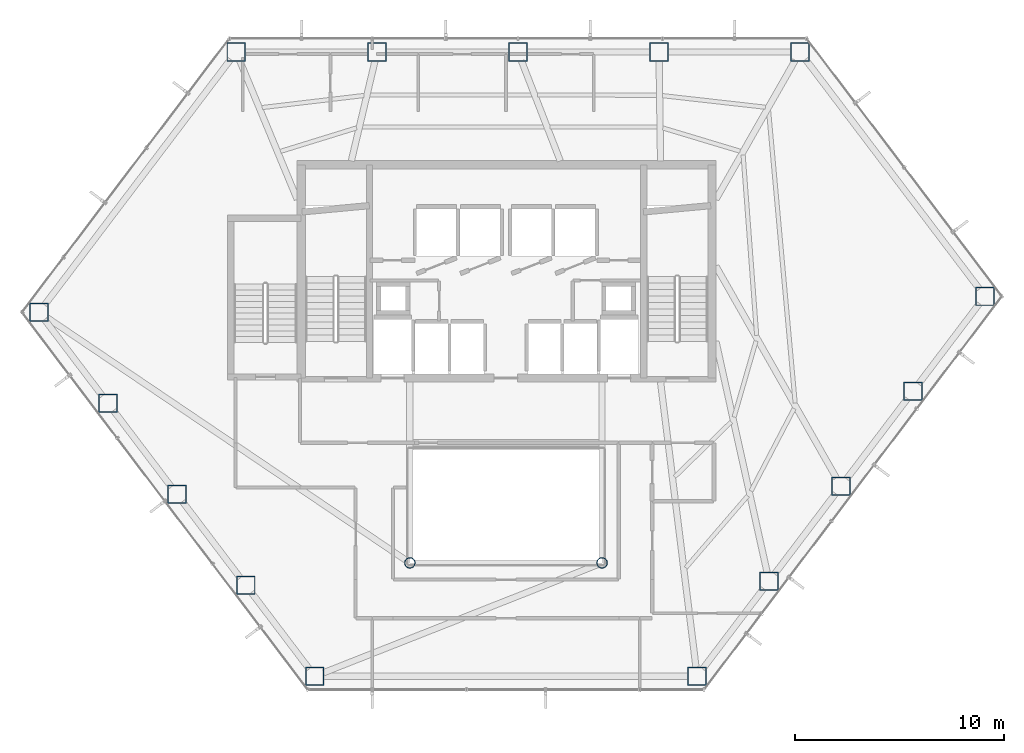
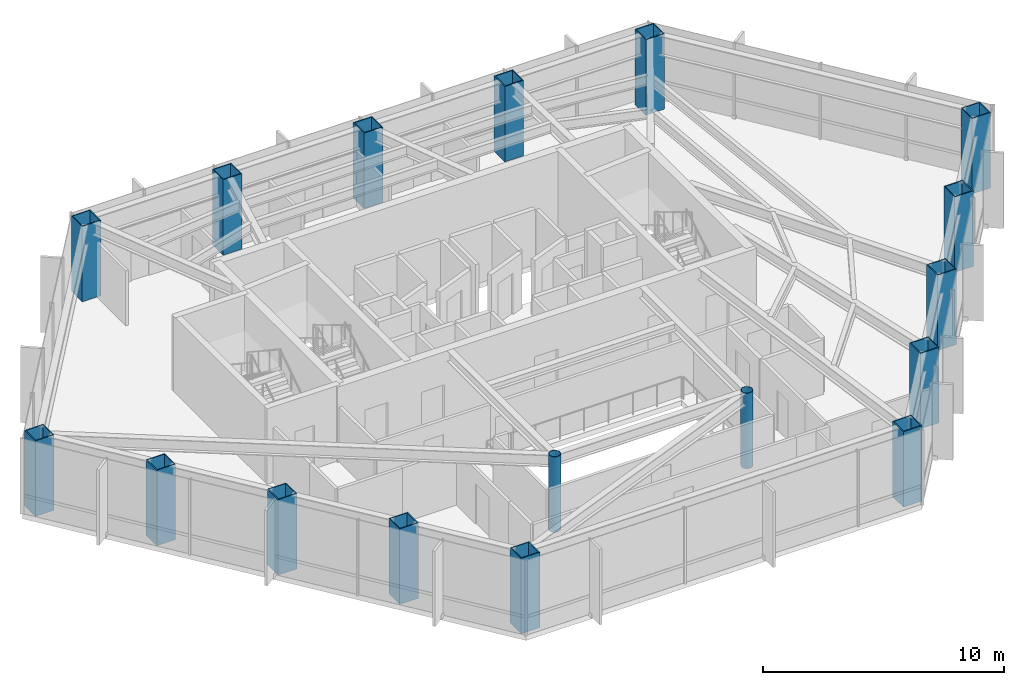
# One storey, part 1 of 24: 17 columns.
"""IFC4 building model written with IfcOpenShell, lengths in metres."""

from ifc_helpers import new_model, si_unit, direction, frame, origin, origin_2d, place, context, subcontext, project, spatial, hollow_rectangle, hollow_circle, extrude, material, material_profile, profile_set, type_object, element, save


model = new_model("IFC4")

# Units and contexts
model_context = context("Model", 3, precision=1e-05, world=origin(), true_north=direction((0.0, 1.0)))
body_context = subcontext(model_context, "Body", "Model", "MODEL_VIEW")
ifc_project = project(units=[si_unit("LENGTHUNIT", "METRE"), si_unit("AREAUNIT", "SQUARE_METRE"), si_unit("VOLUMEUNIT", "CUBIC_METRE"), si_unit("PLANEANGLEUNIT", "RADIAN"), si_unit("MASSUNIT", "GRAM", prefix="KILO")], contexts=[model_context])

# Site, building, storey
site_placement = place(None, origin())
site = spatial("IfcSite", under=ifc_project, at=site_placement, CompositionType="ELEMENT")
building_placement = place(site_placement, origin())
building = spatial("IfcBuilding", under=site, at=building_placement, Name="Zarrinselat Tower", CompositionType="ELEMENT")
storey_placement = place(building_placement, frame((0.0, 0.0, 96.89990234375)))
storey = spatial("IfcBuildingStorey", under=building, at=storey_placement, Name="L23", CompositionType="ELEMENT", Elevation=96.89990234375)

# Columns
ifc_material_1 = material(Name="Steel S355J2", Category="steel")
ifc_material_profile_1 = material_profile(ifc_material_1, hollow_circle(Radius=0.25390625, WallThickness=0.02001953125, at=origin_2d()), Name="CHS 508x20")
ifc_profile_set_1 = profile_set([ifc_material_profile_1], Name="Steel S355J2")
column_type_1 = type_object("IfcColumnType", Name="COL-CHS508", PredefinedType="COLUMN", material=ifc_profile_set_1)
for number, where, z_axis, x_axis, name in (
    (1, (33.800048828125, 24.39990234375, 0.0), (0.0, 0.0, 1.0), (1.0, 0.0, 0.0), "L23 Atrium Corner Column 1"),
    (2, (43.0, 24.39990234375, 0.0), (0.0, 0.0, 1.0), (1.0, 0.0, 0.0), "L23 Atrium Corner Column 2"),
):
    element("IfcColumn", number, at=place(storey_placement, frame(where, z_axis=z_axis, x_axis=x_axis)), inside=storey, type_object=column_type_1, Name=name, PredefinedType="COLUMN", context=body_context, shape_type="SweptSolid", body=[
        extrude(hollow_circle(Radius=0.25390625, WallThickness=0.02001953125, at=origin_2d()), origin(), (0.0, 0.0, 1.0), 3.820068359375),
    ])
ifc_material_2 = material(Name="Steel S460M", Category="steel")
ifc_material_profile_2 = material_profile(ifc_material_2, hollow_rectangle(XDim=0.89990234375, YDim=0.89990234375, WallThickness=0.044921875, at=origin_2d()), Name="SHS 900x900x45")
ifc_profile_set_2 = profile_set([ifc_material_profile_2], Name="Steel S460M")
column_type_2 = type_object("IfcColumnType", Name="COL-SHS900", PredefinedType="COLUMN", material=ifc_profile_set_2)
for number, where, z_axis, x_axis, name in (
    (3, (52.471435546875, 48.85009765625, 0.0), (0.0, 0.0, 1.0), (1.0, 0.0, 0.0), "L23 Framed-Tube Column T01"),
    (4, (45.725341796875, 48.85009765625, 0.0), (0.0, 0.0, 1.0), (1.0, 0.0, 0.0), "L23 Framed-Tube Column T02"),
    (5, (38.97900390625, 48.85009765625, 0.0), (0.0, 0.0, 1.0), (1.0, 0.0, 0.0), "L23 Framed-Tube Column T03"),
    (6, (32.23291015625, 48.85009765625, 0.0), (0.0, 0.0, 1.0), (1.0, 0.0, 0.0), "L23 Framed-Tube Column T04"),
    (7, (25.486572265625, 48.85009765625, 0.0), (0.0, 0.0, 1.0), (1.0, 0.0, 0.0), "L23 Framed-Tube Column T05"),
    (8, (16.052001953125, 36.39599609375, 0.0), (0.0, 0.0, 1.0), (1.0, 0.0, 0.0), "L23 Framed-Tube Column T06"),
    (9, (19.351318359375, 32.041015625, 0.0), (0.0, 0.0, 1.0), (1.0, 0.0, 0.0), "L23 Framed-Tube Column T07"),
    (10, (22.650390625, 27.685791015625, 0.0), (0.0, 0.0, 1.0), (1.0, 0.0, 0.0), "L23 Framed-Tube Column T08"),
    (11, (25.94970703125, 23.330810546875, 0.0), (0.0, 0.0, 1.0), (1.0, 0.0, 0.0), "L23 Framed-Tube Column T09"),
    (12, (29.2490234375, 18.9755859375, 0.0), (0.0, 0.0, 1.0), (1.0, 0.0, 0.0), "L23 Framed-Tube Column T10"),
    (13, (47.55078125, 18.9755859375, 0.0), (0.0, 0.0, 1.0), (1.0, 0.0, 0.0), "L23 Framed-Tube Column T11"),
    (14, (50.9951171875, 23.521728515625, 0.0), (0.0, 0.0, 1.0), (1.0, 0.0, 0.0), "L23 Framed-Tube Column T12"),
    (15, (54.43896484375, 28.068115234375, 0.0), (0.0, 0.0, 1.0), (1.0, 0.0, 0.0), "L23 Framed-Tube Column T13"),
    (16, (57.883056640625, 32.6142578125, 0.0), (0.0, 0.0, 1.0), (1.0, 0.0, 0.0), "L23 Framed-Tube Column T14"),
    (17, (61.3271484375, 37.160400390625, 0.0), (0.0, 0.0, 1.0), (1.0, 0.0, 0.0), "L23 Framed-Tube Column T15"),
):
    element("IfcColumn", number, at=place(storey_placement, frame(where, z_axis=z_axis, x_axis=x_axis)), inside=storey, type_object=column_type_2, Name=name, PredefinedType="COLUMN", context=body_context, shape_type="SweptSolid", body=[
        extrude(hollow_rectangle(XDim=0.89990234375, YDim=0.89990234375, WallThickness=0.044921875, at=origin_2d()), origin(), (0.0, 0.0, 1.0), 3.820068359375),
    ])

save(model, "model.ifc")
